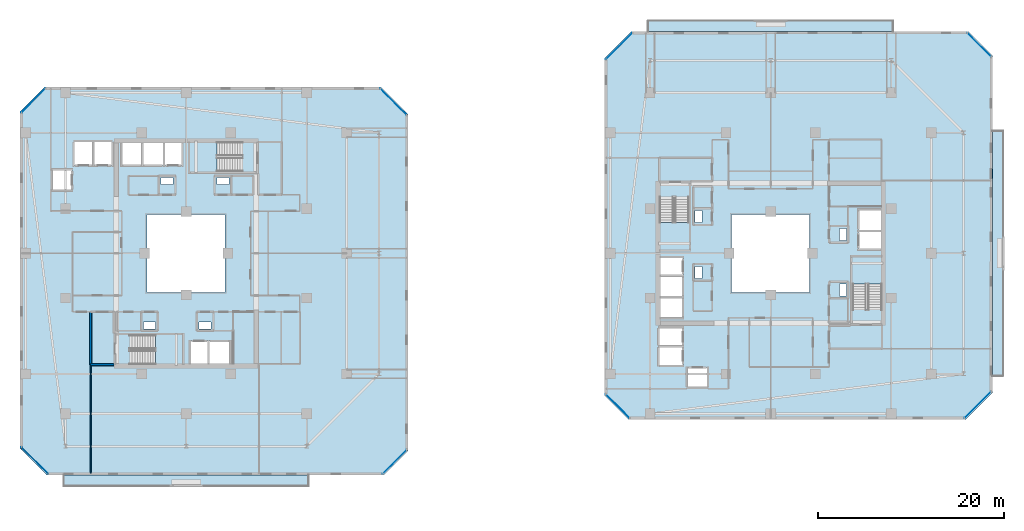
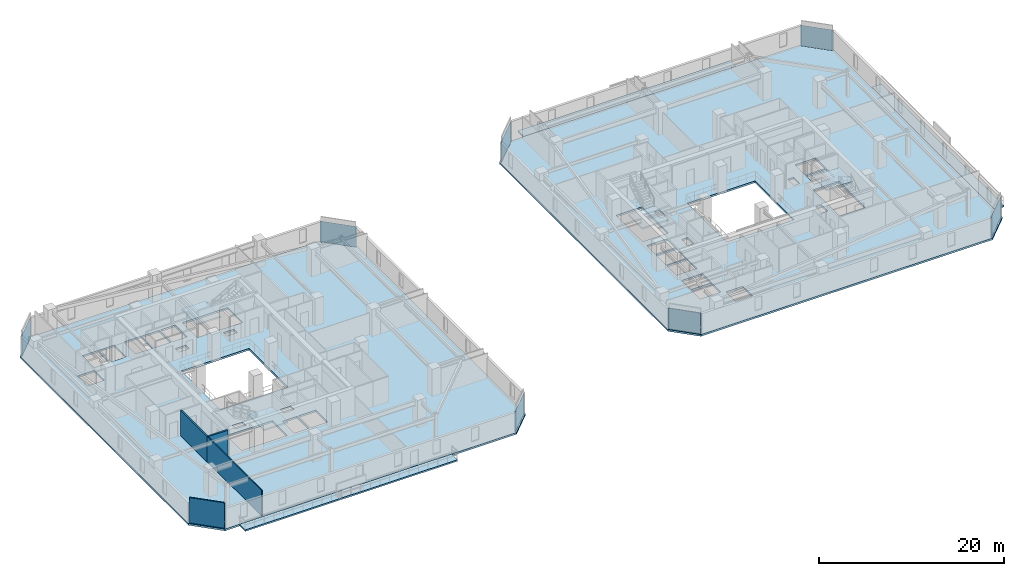
# One storey, part 18 of 33: 9 slabs, 8 plates, 4 walls, 12 elements without a shape of their own.
"""IFC4 building model written with IfcOpenShell, lengths in metres."""

from ifc_helpers import new_model, si_unit, direction, frame, frame_2d, origin, origin_2d, place, context, subcontext, project, spatial, polyline, rectangle, outline, extrude, material, layer, layer_set, type_object, element, aggregate, save


model = new_model("IFC4")

# Units and contexts
model_context = context("Model", 3, precision=1e-05, world=origin(), true_north=direction((0.0, 1.0)))
body_context = subcontext(model_context, "Body", "Model", "MODEL_VIEW")
ifc_project = project(units=[si_unit("LENGTHUNIT", "METRE"), si_unit("AREAUNIT", "SQUARE_METRE"), si_unit("VOLUMEUNIT", "CUBIC_METRE"), si_unit("PLANEANGLEUNIT", "RADIAN"), si_unit("MASSUNIT", "GRAM", prefix="KILO")], contexts=[model_context])

# Site, building, storey
site_placement = place(None, origin())
site = spatial("IfcSite", under=ifc_project, at=site_placement, CompositionType="ELEMENT")
building_placement = place(site_placement, origin())
building = spatial("IfcBuilding", under=site, at=building_placement, Name="Thornwick Lancets Civic Towers", CompositionType="ELEMENT")
storey_placement = place(building_placement, frame((0.0, 0.0, 167.10009765625)))
storey = spatial("IfcBuildingStorey", under=building, at=storey_placement, Name="L44", CompositionType="ELEMENT", Elevation=167.10009765625)

# Curtain wall, plate
ifc_material_1 = material(Name="Mid-zone chamfered-corner unitised glass curtain wall", Category="glass")
curtain_wall_type = type_object("IfcCurtainWallType", Name="CW_SYS_04", PredefinedType="NOTDEFINED", material=ifc_material_1)
curtain_wall_1_placement = place(storey_placement, origin())
curtain_wall_1 = element("IfcCurtainWall", 1, at=curtain_wall_1_placement, inside=storey, type_object=curtain_wall_type, Name="L44 Curtain Wall CW-L44-A-E1", PredefinedType="NOTDEFINED")
ifc_material_2 = material(Name="Low-e double glazing clear glass", Category="glass")
ifc_layer_1 = layer(ifc_material_2, 0.035888671875, Name="Low-e double glazing clear glass")
ifc_layer_set_1 = layer_set([ifc_layer_1], Name="Low-e double glazing clear glass")
plate_type = type_object("IfcPlateType", Name="CW_PNL_GLASS", PredefinedType="CURTAIN_PANEL", material=ifc_layer_set_1)
plate_1_placement = place(storey_placement, frame((47.972900390625, 4.527099609375, 0.0), z_axis=(0.0, 0.0, 1.0), x_axis=(0.707106781187, 0.707106781187, 0.0)))
plate_1 = element("IfcPlate", 2, at=plate_1_placement, type_object=plate_type, Name="CW-L44-A-E1 Panel 0", PredefinedType="CURTAIN_PANEL", context=body_context, shape_type="SweptSolid", body=[
    extrude(rectangle(XDim=3.649169921875, YDim=0.035888671875, at=origin_2d()), origin(), (0.0, 0.0, 1.0), 2.699951171875),
])
aggregate(curtain_wall_1, [plate_1])

curtain_wall_2_placement = place(storey_placement, origin())
curtain_wall_2 = element("IfcCurtainWall", 3, at=curtain_wall_2_placement, inside=storey, type_object=curtain_wall_type, Name="L44 Curtain Wall CW-L44-A-E3", PredefinedType="NOTDEFINED")
plate_2_placement = place(storey_placement, frame((47.834716796875, 43.334716796875, 0.0), z_axis=(0.0, 0.0, 1.0), x_axis=(-0.707106781187, 0.707106781187, 0.0)))
plate_2 = element("IfcPlate", 4, at=plate_2_placement, type_object=plate_type, Name="CW-L44-A-E3 Panel 0", PredefinedType="CURTAIN_PANEL", context=body_context, shape_type="SweptSolid", body=[
    extrude(rectangle(XDim=4.0380859375, YDim=0.035888671875, at=origin_2d()), origin(), (0.0, 0.0, 1.0), 2.699951171875),
])
aggregate(curtain_wall_2, [plate_2])

curtain_wall_3_placement = place(storey_placement, origin())
curtain_wall_3 = element("IfcCurtainWall", 5, at=curtain_wall_3_placement, inside=storey, type_object=curtain_wall_type, Name="L44 Curtain Wall CW-L44-A-E5", PredefinedType="NOTDEFINED")
plate_3_placement = place(storey_placement, frame((9.027099609375, 43.472900390625, 0.0), z_axis=(0.0, 0.0, 1.0), x_axis=(-0.707106781187, -0.707106781187, 0.0)))
plate_3 = element("IfcPlate", 6, at=plate_3_placement, type_object=plate_type, Name="CW-L44-A-E5 Panel 0", PredefinedType="CURTAIN_PANEL", context=body_context, shape_type="SweptSolid", body=[
    extrude(rectangle(XDim=3.649169921875, YDim=0.035888671875, at=origin_2d()), origin(), (0.0, 0.0, 1.0), 2.699951171875),
])
aggregate(curtain_wall_3, [plate_3])

curtain_wall_4_placement = place(storey_placement, origin())
curtain_wall_4 = element("IfcCurtainWall", 7, at=curtain_wall_4_placement, inside=storey, type_object=curtain_wall_type, Name="L44 Curtain Wall CW-L44-A-E7", PredefinedType="NOTDEFINED")
plate_4_placement = place(storey_placement, frame((9.165283203125, 4.665283203125, 0.0), z_axis=(0.0, 0.0, 1.0), x_axis=(0.707106781187, -0.707106781187, 0.0)))
plate_4 = element("IfcPlate", 8, at=plate_4_placement, type_object=plate_type, Name="CW-L44-A-E7 Panel 0", PredefinedType="CURTAIN_PANEL", context=body_context, shape_type="SweptSolid", body=[
    extrude(rectangle(XDim=4.0380859375, YDim=0.035888671875, at=origin_2d()), origin(), (0.0, 0.0, 1.0), 2.699951171875),
])
aggregate(curtain_wall_4, [plate_4])

curtain_wall_5_placement = place(storey_placement, origin())
curtain_wall_5 = element("IfcCurtainWall", 9, at=curtain_wall_5_placement, inside=storey, type_object=curtain_wall_type, Name="L44 Curtain Wall CW-L44-B-E1", PredefinedType="NOTDEFINED")
plate_5_placement = place(storey_placement, frame((110.834716796875, 10.665283203125, 0.0), z_axis=(0.0, 0.0, 1.0), x_axis=(0.707106781187, 0.707106781187, 0.0)))
plate_5 = element("IfcPlate", 10, at=plate_5_placement, type_object=plate_type, Name="CW-L44-B-E1 Panel 0", PredefinedType="CURTAIN_PANEL", context=body_context, shape_type="SweptSolid", body=[
    extrude(rectangle(XDim=4.0380859375, YDim=0.035888671875, at=origin_2d()), origin(), (0.0, 0.0, 1.0), 2.699951171875),
])
aggregate(curtain_wall_5, [plate_5])

curtain_wall_6_placement = place(storey_placement, origin())
curtain_wall_6 = element("IfcCurtainWall", 11, at=curtain_wall_6_placement, inside=storey, type_object=curtain_wall_type, Name="L44 Curtain Wall CW-L44-B-E3", PredefinedType="NOTDEFINED")
plate_6_placement = place(storey_placement, frame((110.972900390625, 49.472900390625, 0.0), z_axis=(0.0, 0.0, 1.0), x_axis=(-0.707106781187, 0.707106781187, 0.0)))
plate_6 = element("IfcPlate", 12, at=plate_6_placement, type_object=plate_type, Name="CW-L44-B-E3 Panel 0", PredefinedType="CURTAIN_PANEL", context=body_context, shape_type="SweptSolid", body=[
    extrude(rectangle(XDim=3.649169921875, YDim=0.035888671875, at=origin_2d()), origin(), (0.0, 0.0, 1.0), 2.699951171875),
])
aggregate(curtain_wall_6, [plate_6])

curtain_wall_7_placement = place(storey_placement, origin())
curtain_wall_7 = element("IfcCurtainWall", 13, at=curtain_wall_7_placement, inside=storey, type_object=curtain_wall_type, Name="L44 Curtain Wall CW-L44-B-E5", PredefinedType="NOTDEFINED")
plate_7_placement = place(storey_placement, frame((72.165283203125, 49.334716796875, 0.0), z_axis=(0.0, 0.0, 1.0), x_axis=(-0.707106781187, -0.707106781187, 0.0)))
plate_7 = element("IfcPlate", 14, at=plate_7_placement, type_object=plate_type, Name="CW-L44-B-E5 Panel 0", PredefinedType="CURTAIN_PANEL", context=body_context, shape_type="SweptSolid", body=[
    extrude(rectangle(XDim=4.0380859375, YDim=0.035888671875, at=origin_2d()), origin(), (0.0, 0.0, 1.0), 2.699951171875),
])
aggregate(curtain_wall_7, [plate_7])

curtain_wall_8_placement = place(storey_placement, origin())
curtain_wall_8 = element("IfcCurtainWall", 15, at=curtain_wall_8_placement, inside=storey, type_object=curtain_wall_type, Name="L44 Curtain Wall CW-L44-B-E7", PredefinedType="NOTDEFINED")
plate_8_placement = place(storey_placement, frame((72.027099609375, 10.527099609375, 0.0), z_axis=(0.0, 0.0, 1.0), x_axis=(0.707106781187, -0.707106781187, 0.0)))
plate_8 = element("IfcPlate", 16, at=plate_8_placement, type_object=plate_type, Name="CW-L44-B-E7 Panel 0", PredefinedType="CURTAIN_PANEL", context=body_context, shape_type="SweptSolid", body=[
    extrude(rectangle(XDim=3.649169921875, YDim=0.035888671875, at=origin_2d()), origin(), (0.0, 0.0, 1.0), 2.699951171875),
])
aggregate(curtain_wall_8, [plate_8])

# Slabs
ifc_material_3 = material(Name="Post-tensioned concrete C40/50", Category="concrete")
ifc_layer_2 = layer(ifc_material_3, 0.199951171875, Name="Post-tensioned concrete C40/50")
ifc_layer_set_2 = layer_set([ifc_layer_2], Name="Post-tensioned concrete C40/50")
slab_type_1 = type_object("IfcSlabType", Name="SLAB_BALCONY_200", PredefinedType="FLOOR", material=ifc_layer_set_2)
slab_1_placement = place(storey_placement, frame((0.0, 0.0, -0.2001953125)))
element("IfcSlab", 17, at=slab_1_placement, inside=storey, type_object=slab_type_1, Name="L44 Tower A Planted Balcony Slab S", PredefinedType="FLOOR", context=body_context, shape_type="SweptSolid", body=[
    extrude(outline(polyline([(12.300048828125, 1.85009765625), (38.699951171875, 1.85009765625), (38.699951171875, 3.10009765625), (12.300048828125, 3.10009765625), (12.300048828125, 1.85009765625)])), origin(), (0.0, 0.0, 1.0), 0.2001953125),
])
slab_2_placement = place(storey_placement, frame((0.0, 0.0, -0.2001953125)))
element("IfcSlab", 18, at=slab_2_placement, inside=storey, type_object=slab_type_1, Name="L44 Tower B Planted Balcony Slab E", PredefinedType="FLOOR", context=body_context, shape_type="SweptSolid", body=[
    extrude(outline(polyline([(112.39990234375, 13.800048828125), (113.64990234375, 13.800048828125), (113.64990234375, 40.199951171875), (112.39990234375, 40.199951171875), (112.39990234375, 13.800048828125)])), origin(), (0.0, 0.0, 1.0), 0.2001953125),
])
slab_3_placement = place(storey_placement, frame((0.0, 0.0, -0.2001953125)))
element("IfcSlab", 19, at=slab_3_placement, inside=storey, type_object=slab_type_1, Name="L44 Tower B Planted Balcony Slab N", PredefinedType="FLOOR", context=body_context, shape_type="SweptSolid", body=[
    extrude(outline(polyline([(75.300048828125, 50.89990234375), (101.699951171875, 50.89990234375), (101.699951171875, 52.14990234375), (75.300048828125, 52.14990234375), (75.300048828125, 50.89990234375)])), origin(), (0.0, 0.0, 1.0), 0.2001953125),
])

# Stair, slab
ifc_material_4 = material(Name="Concrete C40/50", Category="concrete")
stair_type = type_object("IfcStairType", Name="STAIR_DL_3600", PredefinedType="HALF_TURN_STAIR", material=ifc_material_4)
stair_1_placement = place(storey_placement, origin())
stair_1 = element("IfcStair", 20, at=stair_1_placement, inside=storey, type_object=stair_type, Name="L44 Tower A South Exit Stair ST-A1", PredefinedType="HALF_TURN_STAIR")
ifc_layer_3 = layer(ifc_material_4, 0.25, Name="Concrete C40/50")
ifc_layer_set_3 = layer_set([ifc_layer_3], Name="Concrete C40/50")
slab_type_2 = type_object("IfcSlabType", Name="SLAB_LANDING_200", PredefinedType="LANDING", material=ifc_layer_set_3)
slab_4_placement = place(storey_placement, frame((0.0, 0.0, 1.602783203125)))
slab_4 = element("IfcSlab", 21, at=slab_4_placement, type_object=slab_type_2, Name="ST-A1 landing 1", PredefinedType="LANDING", context=body_context, shape_type="SweptSolid", body=[
    extrude(outline(polyline([(22.169921875, 14.93994140625), (25.14990234375, 14.93994140625), (25.14990234375, 18.260009765625), (22.169921875, 18.260009765625), (22.169921875, 14.93994140625)])), origin(), (0.0, 0.0, 1.0), 0.2001953125),
])
aggregate(stair_1, [slab_4])

stair_2_placement = place(storey_placement, origin())
stair_2 = element("IfcStair", 22, at=stair_2_placement, inside=storey, type_object=stair_type, Name="L44 Tower A North Exit Stair ST-A2", PredefinedType="HALF_TURN_STAIR")
slab_5_placement = place(storey_placement, frame((0.0, 0.0, 1.602783203125)))
slab_5 = element("IfcSlab", 23, at=slab_5_placement, type_object=slab_type_2, Name="ST-A2 landing 1", PredefinedType="LANDING", context=body_context, shape_type="SweptSolid", body=[
    extrude(outline(polyline([(28.830078125, 39.06005859375), (25.85009765625, 39.06005859375), (25.85009765625, 35.739990234375), (28.830078125, 35.739990234375), (28.830078125, 39.06005859375)])), origin(), (0.0, 0.0, 1.0), 0.2001953125),
])
aggregate(stair_2, [slab_5])

stair_3_placement = place(storey_placement, origin())
stair_3 = element("IfcStair", 24, at=stair_3_placement, inside=storey, type_object=stair_type, Name="L44 Tower B East Exit Stair ST-B1", PredefinedType="HALF_TURN_STAIR")
slab_6_placement = place(storey_placement, frame((0.0, 0.0, 1.602783203125)))
slab_6 = element("IfcSlab", 25, at=slab_6_placement, type_object=slab_type_2, Name="ST-B1 landing 1", PredefinedType="LANDING", context=body_context, shape_type="SweptSolid", body=[
    extrude(outline(polyline([(100.56005859375, 23.669921875), (100.56005859375, 26.64990234375), (97.239990234375, 26.64990234375), (97.239990234375, 23.669921875), (100.56005859375, 23.669921875)])), origin(), (0.0, 0.0, 1.0), 0.2001953125),
])
aggregate(stair_3, [slab_6])

stair_4_placement = place(storey_placement, origin())
stair_4 = element("IfcStair", 26, at=stair_4_placement, inside=storey, type_object=stair_type, Name="L44 Tower B West Exit Stair ST-B2", PredefinedType="HALF_TURN_STAIR")
slab_7_placement = place(storey_placement, frame((0.0, 0.0, 1.602783203125)))
slab_7 = element("IfcSlab", 27, at=slab_7_placement, type_object=slab_type_2, Name="ST-B2 landing 1", PredefinedType="LANDING", context=body_context, shape_type="SweptSolid", body=[
    extrude(outline(polyline([(76.43994140625, 30.330078125), (76.43994140625, 27.35009765625), (79.760009765625, 27.35009765625), (79.760009765625, 30.330078125), (76.43994140625, 30.330078125)])), origin(), (0.0, 0.0, 1.0), 0.2001953125),
])
aggregate(stair_4, [slab_7])

# Slabs
ifc_layer_4 = layer(ifc_material_3, 0.239990234375, Name="Post-tensioned concrete C40/50")
ifc_layer_set_4 = layer_set([ifc_layer_4], Name="Post-tensioned concrete C40/50")
slab_type_3 = type_object("IfcSlabType", Name="SLAB_PT_240", PredefinedType="FLOOR", material=ifc_layer_set_4)
slab_8_placement = place(storey_placement, frame((0.0, 0.0, -0.239990234375)))
element("IfcSlab", 28, at=slab_8_placement, inside=storey, type_object=slab_type_3, Name="L44 Tower A Floor Slab", PredefinedType="FLOOR", context=body_context, shape_type="SweptSolid", body=[
    extrude(outline(polyline([(10.47705078125, 3.10009765625), (46.800048828125, 3.10009765625), (49.39990234375, 5.699951171875), (49.39990234375, 42.02294921875), (46.52294921875, 44.89990234375), (10.199951171875, 44.89990234375), (7.60009765625, 42.300048828125), (7.60009765625, 5.97705078125), (10.47705078125, 3.10009765625)]), holes=[polyline([(21.300048828125, 22.800048828125), (29.699951171875, 22.800048828125), (29.699951171875, 31.199951171875), (21.300048828125, 31.199951171875), (21.300048828125, 22.800048828125)]), polyline([(19.429931640625, 15.0), (25.10009765625, 15.0), (25.10009765625, 18.199951171875), (19.429931640625, 18.199951171875), (19.429931640625, 15.0)]), polyline([(31.570068359375, 39.0), (25.89990234375, 39.0), (25.89990234375, 35.800048828125), (31.570068359375, 35.800048828125), (31.570068359375, 39.0)]), polyline([(26.0, 15.0), (27.800048828125, 15.0), (27.800048828125, 17.550048828125), (26.0, 17.550048828125), (26.0, 15.0)]), polyline([(28.0, 15.0), (30.14990234375, 15.0), (30.14990234375, 17.550048828125), (28.0, 17.550048828125), (28.0, 15.0)]), polyline([(23.199951171875, 36.449951171875), (25.0, 36.449951171875), (25.0, 39.0), (23.199951171875, 39.0), (23.199951171875, 36.449951171875)]), polyline([(20.85009765625, 36.449951171875), (23.0, 36.449951171875), (23.0, 39.0), (20.85009765625, 39.0), (20.85009765625, 36.449951171875)]), polyline([(18.60009765625, 36.449951171875), (20.699951171875, 36.449951171875), (20.699951171875, 39.0), (18.60009765625, 39.0), (18.60009765625, 36.449951171875)]), polyline([(15.550048828125, 36.449951171875), (17.449951171875, 36.449951171875), (17.449951171875, 39.0), (15.550048828125, 39.0), (15.550048828125, 36.449951171875)]), polyline([(13.449951171875, 36.449951171875), (15.39990234375, 36.449951171875), (15.39990234375, 39.0), (13.449951171875, 39.0), (13.449951171875, 36.449951171875)]), polyline([(11.10009765625, 33.85009765625), (13.199951171875, 33.85009765625), (13.199951171875, 35.949951171875), (11.10009765625, 35.949951171875), (11.10009765625, 33.85009765625)]), polyline([(26.89990234375, 18.85009765625), (28.199951171875, 18.85009765625), (28.199951171875, 19.580078125), (26.89990234375, 19.580078125), (26.89990234375, 18.85009765625)]), polyline([(20.89990234375, 18.85009765625), (22.199951171875, 18.85009765625), (22.199951171875, 19.580078125), (20.89990234375, 19.580078125), (20.89990234375, 18.85009765625)]), polyline([(22.800048828125, 34.419921875), (24.10009765625, 34.419921875), (24.10009765625, 35.14990234375), (22.800048828125, 35.14990234375), (22.800048828125, 34.419921875)]), polyline([(28.800048828125, 34.419921875), (30.10009765625, 34.419921875), (30.10009765625, 35.14990234375), (28.800048828125, 35.14990234375), (28.800048828125, 34.419921875)])]), origin(), (0.0, 0.0, 1.0), 0.239990234375),
])
slab_9_placement = place(storey_placement, frame((0.0, 0.0, -0.239990234375)))
element("IfcSlab", 29, at=slab_9_placement, inside=storey, type_object=slab_type_3, Name="L44 Tower B Floor Slab", PredefinedType="FLOOR", context=body_context, shape_type="SweptSolid", body=[
    extrude(outline(polyline([(73.199951171875, 9.10009765625), (109.52294921875, 9.10009765625), (112.39990234375, 11.97705078125), (112.39990234375, 48.300048828125), (109.800048828125, 50.89990234375), (73.47705078125, 50.89990234375), (70.60009765625, 48.02294921875), (70.60009765625, 11.699951171875), (73.199951171875, 9.10009765625)]), holes=[polyline([(84.300048828125, 22.800048828125), (92.699951171875, 22.800048828125), (92.699951171875, 31.199951171875), (84.300048828125, 31.199951171875), (84.300048828125, 22.800048828125)]), polyline([(100.5, 20.929931640625), (100.5, 26.60009765625), (97.300048828125, 26.60009765625), (97.300048828125, 20.929931640625), (100.5, 20.929931640625)]), polyline([(76.5, 33.070068359375), (76.5, 27.39990234375), (79.699951171875, 27.39990234375), (79.699951171875, 33.070068359375), (76.5, 33.070068359375)]), polyline([(97.949951171875, 27.5), (100.5, 27.5), (100.5, 29.300048828125), (97.949951171875, 29.300048828125), (97.949951171875, 27.5)]), polyline([(97.949951171875, 29.5), (100.5, 29.5), (100.5, 31.64990234375), (97.949951171875, 31.64990234375), (97.949951171875, 29.5)]), polyline([(76.5, 24.699951171875), (79.050048828125, 24.699951171875), (79.050048828125, 26.5), (76.5, 26.5), (76.5, 24.699951171875)]), polyline([(76.5, 22.35009765625), (79.050048828125, 22.35009765625), (79.050048828125, 24.5), (76.5, 24.5), (76.5, 22.35009765625)]), polyline([(76.5, 20.10009765625), (79.050048828125, 20.10009765625), (79.050048828125, 22.199951171875), (76.5, 22.199951171875), (76.5, 20.10009765625)]), polyline([(76.5, 17.050048828125), (79.050048828125, 17.050048828125), (79.050048828125, 18.949951171875), (76.5, 18.949951171875), (76.5, 17.050048828125)]), polyline([(76.5, 14.949951171875), (79.050048828125, 14.949951171875), (79.050048828125, 16.89990234375), (76.5, 16.89990234375), (76.5, 14.949951171875)]), polyline([(79.550048828125, 12.60009765625), (81.64990234375, 12.60009765625), (81.64990234375, 14.699951171875), (79.550048828125, 14.699951171875), (79.550048828125, 12.60009765625)]), polyline([(95.919921875, 28.39990234375), (96.64990234375, 28.39990234375), (96.64990234375, 29.699951171875), (95.919921875, 29.699951171875), (95.919921875, 28.39990234375)]), polyline([(95.919921875, 22.39990234375), (96.64990234375, 22.39990234375), (96.64990234375, 23.699951171875), (95.919921875, 23.699951171875), (95.919921875, 22.39990234375)]), polyline([(80.35009765625, 24.300048828125), (81.080078125, 24.300048828125), (81.080078125, 25.60009765625), (80.35009765625, 25.60009765625), (80.35009765625, 24.300048828125)]), polyline([(80.35009765625, 30.300048828125), (81.080078125, 30.300048828125), (81.080078125, 31.60009765625), (80.35009765625, 31.60009765625), (80.35009765625, 30.300048828125)])]), origin(), (0.0, 0.0, 1.0), 0.239990234375),
])

# Walls
ifc_material_5 = material(Name="Concrete blockwork C40/50", Category="masonry")
ifc_layer_5 = layer(ifc_material_5, 0.199951171875, Name="Concrete blockwork C40/50")
ifc_layer_set_5 = layer_set([ifc_layer_5], Name="Concrete blockwork C40/50")
wall_type_1 = type_object("IfcWallType", Name="WALL_COMP_200", PredefinedType="STANDARD", material=ifc_layer_set_5)
wall_1_placement = place(storey_placement, frame((15.199951171875, 15.0, 0.0), z_axis=(0.0, 0.0, 1.0), x_axis=(1.0, 0.0, 0.0)))
element("IfcWall", 30, at=wall_1_placement, inside=storey, type_object=wall_type_1, Name="L44 Partition L44-A-FFLOB1 E1", PredefinedType="STANDARD", context=body_context, shape_type="SweptSolid", body=[
    extrude(rectangle(XDim=2.5, YDim=0.199951171875, at=frame_2d((1.25, 0.0))), origin(), (0.0, 0.0, 1.0), 3.33984375),
])
wall_2_placement = place(storey_placement, frame((15.199951171875, 20.699951171875, 0.0), z_axis=(0.0, 0.0, 1.0), x_axis=(0.0, -1.0, 0.0)))
element("IfcWall", 31, at=wall_2_placement, inside=storey, type_object=wall_type_1, Name="L44 Partition L44-A-FFLOB1 E4", PredefinedType="STANDARD", context=body_context, shape_type="SweptSolid", body=[
    extrude(rectangle(XDim=5.699951171875, YDim=0.199951171875, at=frame_2d((2.85009765625, 0.0))), origin(), (0.0, 0.0, 1.0), 3.33984375),
])
ifc_material_6 = material(Name="Acoustic gypsum board partition")
ifc_layer_6 = layer(ifc_material_6, 0.1201171875, Name="Acoustic gypsum board partition")
ifc_layer_set_6 = layer_set([ifc_layer_6], Name="Acoustic gypsum board partition")
wall_type_2 = type_object("IfcWallType", Name="WALL_PART_120", PredefinedType="PARTITIONING", material=ifc_layer_set_6)
wall_3_placement = place(storey_placement, frame((15.199951171875, 15.0, 0.0), z_axis=(0.0, 0.0, 1.0), x_axis=(0.0, -1.0, 0.0)))
element("IfcWall", 32, at=wall_3_placement, inside=storey, type_object=wall_type_2, Name="L44 Partition L44-A-W1 E5", PredefinedType="PARTITIONING", context=body_context, shape_type="SweptSolid", body=[
    extrude(rectangle(XDim=11.719970703125, YDim=0.1201171875, at=frame_2d((5.85986328125, 0.0))), origin(), (0.0, 0.0, 1.0), 3.33984375),
])
wall_4_placement = place(storey_placement, frame((10.551513671875, 3.280029296875, 0.0), z_axis=(0.0, 0.0, 1.0), x_axis=(-0.707106781187, 0.707106781187, 0.0)))
element("IfcWall", 33, at=wall_4_placement, inside=storey, type_object=wall_type_2, Name="L44 Partition L44-A-W1 E7", PredefinedType="PARTITIONING", context=body_context, shape_type="SweptSolid", body=[
    extrude(rectangle(XDim=3.91943359375, YDim=0.1201171875, at=frame_2d((1.959716796875, 0.0))), origin(), (0.0, 0.0, 1.0), 3.33984375),
])

save(model, "model.ifc")
